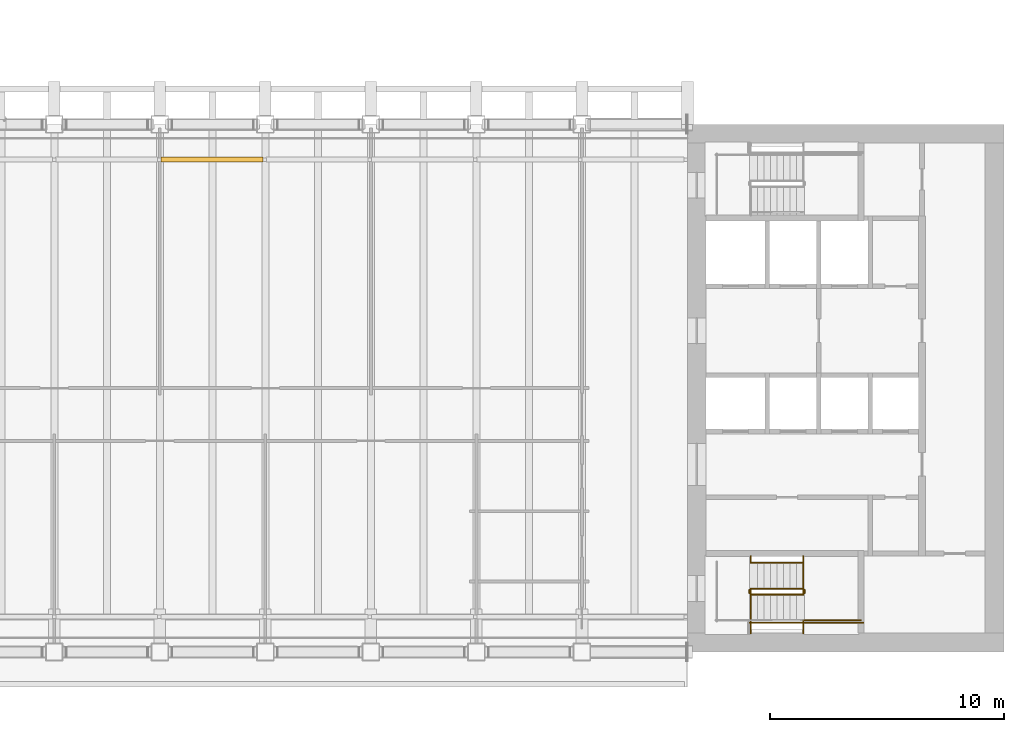
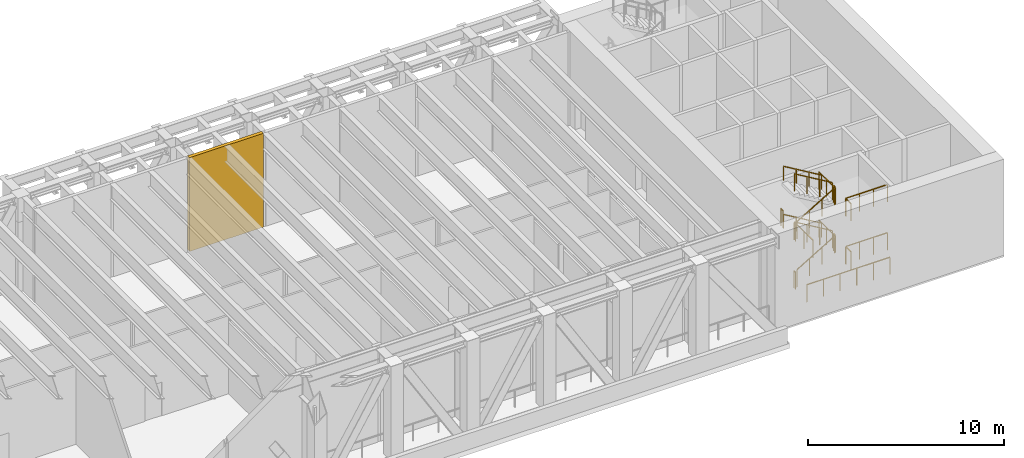
# One storey, part 17 of 20: 19 railings, 1 shading device.
"""IFC4 building model written with IfcOpenShell, lengths in metres."""

from ifc_helpers import new_model, si_unit, direction, frame, origin, origin_2d, place, context, subcontext, project, spatial, rectangle, extrude, material, layer, layer_set, type_object, element, save


model = new_model("IFC4")

# Units and contexts
model_context = context("Model", 3, precision=1e-05, world=origin(), true_north=direction((0.0, 1.0)))
body_context = subcontext(model_context, "Body", "Model", "MODEL_VIEW")
ifc_project = project(units=[si_unit("LENGTHUNIT", "METRE"), si_unit("AREAUNIT", "SQUARE_METRE"), si_unit("VOLUMEUNIT", "CUBIC_METRE"), si_unit("PLANEANGLEUNIT", "RADIAN"), si_unit("MASSUNIT", "GRAM", prefix="KILO")], contexts=[model_context])

# Site, building, storey
site_placement = place(None, origin())
site = spatial("IfcSite", under=ifc_project, at=site_placement, CompositionType="ELEMENT")
building_placement = place(site_placement, origin())
building = spatial("IfcBuilding", under=site, at=building_placement, Name="Sennacour Bend Tower", CompositionType="ELEMENT")
storey_placement = place(building_placement, frame((0.0, 0.0, 243.0)))
storey = spatial("IfcBuildingStorey", under=building, at=storey_placement, Name="L56", CompositionType="ELEMENT", Elevation=243.0)

# Shading device
ifc_material_1 = material(Name="Dark bronze anodised aluminium louvre", Category="aluminium")
ifc_layer = layer(ifc_material_1, 0.199951171875, Name="Dark bronze anodised aluminium louvre", Category="aluminium")
ifc_layer_set = layer_set([ifc_layer], Name="Dark bronze anodised aluminium louvre")
shading_device_type = type_object("IfcShadingDeviceType", Name="LOUVRE BANK 200", PredefinedType="USERDEFINED", material=ifc_layer_set)
shading_device_placement = place(storey_placement, frame((33.722900390625, 21.0, 0.0), z_axis=(0.0, 0.0, 1.0), x_axis=(1.0, 0.0, 0.0)))
element("IfcShadingDevice", 1, at=shading_device_placement, inside=storey, type_object=shading_device_type, Name="Louvre bank L56", ObjectType="LOUVRE", PredefinedType="USERDEFINED", context=body_context, shape_type="SweptSolid", body=[
    extrude(rectangle(XDim=4.34912109375, YDim=0.199951171875, at=origin_2d()), origin(), (0.0, 0.0, 1.0), 5.85009765625),
])

# Railings
ifc_material_2 = material(Name="Stainless steel", Category="steel")
railing_type_1 = type_object("IfcRailingType", Name="RL-GUARD-1100", PredefinedType="GUARDRAIL", material=ifc_material_2)
railing_1_placement = place(storey_placement, frame((56.699951171875, 2.449951171875, 0.166748046875)))
element("IfcRailing", 2, at=railing_1_placement, inside=storey, type_object=railing_type_1, Name="L56 SA1 stair guard 1", PredefinedType="GUARDRAIL", context=body_context, shape_type="SweptSolid", body=[
    extrude(rectangle(XDim=0.048095703125, YDim=0.048095703125, at=origin_2d()), frame((0.0, 0.0, 1.076171875), z_axis=(0.859305625298, 0.0, 0.511462454469), x_axis=(0.0, 1.0, 0.0)), (0.0, 0.0, 1.0), 2.606689453125),
    extrude(rectangle(XDim=0.0419921875, YDim=0.0419921875, at=origin_2d()), origin(), (0.0, 0.0, 1.0), 1.052001953125),
    extrude(rectangle(XDim=0.0419921875, YDim=0.0419921875, at=origin_2d()), frame((0.74658203125, 0.0, 0.4443359375)), (0.0, 0.0, 1.0), 1.052001953125),
    extrude(rectangle(XDim=0.0419921875, YDim=0.0419921875, at=origin_2d()), frame((1.493408203125, 0.0, 0.888916015625)), (0.0, 0.0, 1.0), 1.052001953125),
    extrude(rectangle(XDim=0.0419921875, YDim=0.0419921875, at=origin_2d()), frame((2.239990234375, 0.0, 1.333251953125)), (0.0, 0.0, 1.0), 1.052001953125),
])
railing_2_placement = place(storey_placement, frame((58.989990234375, 2.5, 1.5)))
element("IfcRailing", 3, at=railing_2_placement, inside=storey, type_object=railing_type_1, Name="L56 SA1 stair guard 2", PredefinedType="GUARDRAIL", context=body_context, shape_type="SweptSolid", body=[
    extrude(rectangle(XDim=0.048095703125, YDim=0.048095703125, at=origin_2d()), frame((0.0, 0.0, 1.076171875), z_axis=(0.0, 1.0, 0.0), x_axis=(-1.0, 0.0, 0.0)), (0.0, 0.0, 1.0), 0.14990234375),
    extrude(rectangle(XDim=0.0419921875, YDim=0.0419921875, at=origin_2d()), origin(), (0.0, 0.0, 1.0), 1.052001953125),
    extrude(rectangle(XDim=0.0419921875, YDim=0.0419921875, at=origin_2d()), frame((0.0, 0.14990234375, 0.0)), (0.0, 0.0, 1.0), 1.052001953125),
])
railing_3_placement = place(storey_placement, frame((58.93994140625, 1.35009765625, 1.5)))
element("IfcRailing", 4, at=railing_3_placement, inside=storey, type_object=railing_type_1, Name="L56 SA1 stair guard 3", PredefinedType="GUARDRAIL", context=body_context, shape_type="SweptSolid", body=[
    extrude(rectangle(XDim=0.048095703125, YDim=0.048095703125, at=origin_2d()), frame((0.0, 0.0, 1.076171875), z_axis=(1.0, 0.0, 0.0), x_axis=(0.0, 1.0, 0.0)), (0.0, 0.0, 1.0), 2.4599609375),
    extrude(rectangle(XDim=0.0419921875, YDim=0.0419921875, at=origin_2d()), origin(), (0.0, 0.0, 1.0), 1.052001953125),
    extrude(rectangle(XDim=0.0419921875, YDim=0.0419921875, at=origin_2d()), frame((0.820068359375, 0.0, 0.0)), (0.0, 0.0, 1.0), 1.052001953125),
    extrude(rectangle(XDim=0.0419921875, YDim=0.0419921875, at=origin_2d()), frame((1.639892578125, 0.0, 0.0)), (0.0, 0.0, 1.0), 1.052001953125),
    extrude(rectangle(XDim=0.0419921875, YDim=0.0419921875, at=origin_2d()), frame((2.4599609375, 0.0, 0.0)), (0.0, 0.0, 1.0), 1.052001953125),
])
railing_4_placement = place(storey_placement, frame((58.93994140625, 2.699951171875, 1.666748046875)))
element("IfcRailing", 5, at=railing_4_placement, inside=storey, type_object=railing_type_1, Name="L56 SA1 stair guard 4", PredefinedType="GUARDRAIL", context=body_context, shape_type="SweptSolid", body=[
    extrude(rectangle(XDim=0.048095703125, YDim=0.048095703125, at=origin_2d()), frame((0.0, 0.0, 1.076171875), z_axis=(-0.859305625298, 0.0, 0.511462454469), x_axis=(0.0, -1.0, 0.0)), (0.0, 0.0, 1.0), 2.606689453125),
    extrude(rectangle(XDim=0.0419921875, YDim=0.0419921875, at=origin_2d()), origin(), (0.0, 0.0, 1.0), 1.052001953125),
    extrude(rectangle(XDim=0.0419921875, YDim=0.0419921875, at=origin_2d()), frame((-0.74658203125, 0.0, 0.4443359375)), (0.0, 0.0, 1.0), 1.052001953125),
    extrude(rectangle(XDim=0.0419921875, YDim=0.0419921875, at=origin_2d()), frame((-1.493408203125, 0.0, 0.888916015625)), (0.0, 0.0, 1.0), 1.052001953125),
    extrude(rectangle(XDim=0.0419921875, YDim=0.0419921875, at=origin_2d()), frame((-2.239990234375, 0.0, 1.333251953125)), (0.0, 0.0, 1.0), 1.052001953125),
])
railing_5_placement = place(storey_placement, frame((56.64990234375, 2.5, 3.0)))
element("IfcRailing", 6, at=railing_5_placement, inside=storey, type_object=railing_type_1, Name="L56 SA1 stair guard 5", PredefinedType="GUARDRAIL", context=body_context, shape_type="SweptSolid", body=[
    extrude(rectangle(XDim=0.048095703125, YDim=0.048095703125, at=origin_2d()), frame((0.0, 0.0, 1.076171875), z_axis=(0.0, 1.0, 0.0), x_axis=(-1.0, 0.0, 0.0)), (0.0, 0.0, 1.0), 0.14990234375),
    extrude(rectangle(XDim=0.0419921875, YDim=0.0419921875, at=origin_2d()), origin(), (0.0, 0.0, 1.0), 1.052001953125),
    extrude(rectangle(XDim=0.0419921875, YDim=0.0419921875, at=origin_2d()), frame((0.0, 0.14990234375, 0.0)), (0.0, 0.0, 1.0), 1.052001953125),
])
railing_6_placement = place(storey_placement, frame((56.699951171875, 2.449951171875, 3.166748046875)))
element("IfcRailing", 7, at=railing_6_placement, inside=storey, type_object=railing_type_1, Name="L56 SA1 stair guard 8", PredefinedType="GUARDRAIL", context=body_context, shape_type="SweptSolid", body=[
    extrude(rectangle(XDim=0.048095703125, YDim=0.048095703125, at=origin_2d()), frame((0.0, 0.0, 1.076171875), z_axis=(0.859305625298, 0.0, 0.511462454469), x_axis=(0.0, 1.0, 0.0)), (0.0, 0.0, 1.0), 2.606689453125),
    extrude(rectangle(XDim=0.0419921875, YDim=0.0419921875, at=origin_2d()), origin(), (0.0, 0.0, 1.0), 1.052001953125),
    extrude(rectangle(XDim=0.0419921875, YDim=0.0419921875, at=origin_2d()), frame((0.74658203125, 0.0, 0.4443359375)), (0.0, 0.0, 1.0), 1.052001953125),
    extrude(rectangle(XDim=0.0419921875, YDim=0.0419921875, at=origin_2d()), frame((1.493408203125, 0.0, 0.888916015625)), (0.0, 0.0, 1.0), 1.052001953125),
    extrude(rectangle(XDim=0.0419921875, YDim=0.0419921875, at=origin_2d()), frame((2.239990234375, 0.0, 1.333251953125)), (0.0, 0.0, 1.0), 1.052001953125),
])
railing_7_placement = place(storey_placement, frame((58.989990234375, 2.5, 4.5)))
element("IfcRailing", 8, at=railing_7_placement, inside=storey, type_object=railing_type_1, Name="L56 SA1 stair guard 9", PredefinedType="GUARDRAIL", context=body_context, shape_type="SweptSolid", body=[
    extrude(rectangle(XDim=0.048095703125, YDim=0.048095703125, at=origin_2d()), frame((0.0, 0.0, 1.076171875), z_axis=(0.0, 1.0, 0.0), x_axis=(-1.0, 0.0, 0.0)), (0.0, 0.0, 1.0), 0.14990234375),
    extrude(rectangle(XDim=0.0419921875, YDim=0.0419921875, at=origin_2d()), origin(), (0.0, 0.0, 1.0), 1.052001953125),
    extrude(rectangle(XDim=0.0419921875, YDim=0.0419921875, at=origin_2d()), frame((0.0, 0.14990234375, 0.0)), (0.0, 0.0, 1.0), 1.052001953125),
])
railing_8_placement = place(storey_placement, frame((58.93994140625, 1.35009765625, 4.5)))
element("IfcRailing", 9, at=railing_8_placement, inside=storey, type_object=railing_type_1, Name="L56 SA1 stair guard 10", PredefinedType="GUARDRAIL", context=body_context, shape_type="SweptSolid", body=[
    extrude(rectangle(XDim=0.048095703125, YDim=0.048095703125, at=origin_2d()), frame((0.0, 0.0, 1.076171875), z_axis=(1.0, 0.0, 0.0), x_axis=(0.0, 1.0, 0.0)), (0.0, 0.0, 1.0), 2.4599609375),
    extrude(rectangle(XDim=0.0419921875, YDim=0.0419921875, at=origin_2d()), origin(), (0.0, 0.0, 1.0), 1.052001953125),
    extrude(rectangle(XDim=0.0419921875, YDim=0.0419921875, at=origin_2d()), frame((0.820068359375, 0.0, 0.0)), (0.0, 0.0, 1.0), 1.052001953125),
    extrude(rectangle(XDim=0.0419921875, YDim=0.0419921875, at=origin_2d()), frame((1.639892578125, 0.0, 0.0)), (0.0, 0.0, 1.0), 1.052001953125),
    extrude(rectangle(XDim=0.0419921875, YDim=0.0419921875, at=origin_2d()), frame((2.4599609375, 0.0, 0.0)), (0.0, 0.0, 1.0), 1.052001953125),
])
railing_9_placement = place(storey_placement, frame((58.93994140625, 2.699951171875, 4.666748046875)))
element("IfcRailing", 10, at=railing_9_placement, inside=storey, type_object=railing_type_1, Name="L56 SA1 stair guard 11", PredefinedType="GUARDRAIL", context=body_context, shape_type="SweptSolid", body=[
    extrude(rectangle(XDim=0.048095703125, YDim=0.048095703125, at=origin_2d()), frame((0.0, 0.0, 1.076171875), z_axis=(-0.859305625298, 0.0, 0.511462454469), x_axis=(0.0, -1.0, 0.0)), (0.0, 0.0, 1.0), 2.606689453125),
    extrude(rectangle(XDim=0.0419921875, YDim=0.0419921875, at=origin_2d()), origin(), (0.0, 0.0, 1.0), 1.052001953125),
    extrude(rectangle(XDim=0.0419921875, YDim=0.0419921875, at=origin_2d()), frame((-0.74658203125, 0.0, 0.4443359375)), (0.0, 0.0, 1.0), 1.052001953125),
    extrude(rectangle(XDim=0.0419921875, YDim=0.0419921875, at=origin_2d()), frame((-1.493408203125, 0.0, 0.888916015625)), (0.0, 0.0, 1.0), 1.052001953125),
    extrude(rectangle(XDim=0.0419921875, YDim=0.0419921875, at=origin_2d()), frame((-2.239990234375, 0.0, 1.333251953125)), (0.0, 0.0, 1.0), 1.052001953125),
])
railing_10_placement = place(storey_placement, frame((56.64990234375, 2.5, 0.0)))
element("IfcRailing", 11, at=railing_10_placement, inside=storey, type_object=railing_type_1, Name="L56 SA1 stair guard 12", PredefinedType="GUARDRAIL", context=body_context, shape_type="SweptSolid", body=[
    extrude(rectangle(XDim=0.048095703125, YDim=0.048095703125, at=origin_2d()), frame((0.0, 0.0, 1.076171875), z_axis=(0.0, 1.0, 0.0), x_axis=(-1.0, 0.0, 0.0)), (0.0, 0.0, 1.0), 0.14990234375),
    extrude(rectangle(XDim=0.0419921875, YDim=0.0419921875, at=origin_2d()), origin(), (0.0, 0.0, 1.0), 1.052001953125),
    extrude(rectangle(XDim=0.0419921875, YDim=0.0419921875, at=origin_2d()), frame((0.0, 0.14990234375, 0.0)), (0.0, 0.0, 1.0), 1.052001953125),
])
railing_11_placement = place(storey_placement, frame((56.60009765625, 1.25, 0.0)))
element("IfcRailing", 12, at=railing_11_placement, inside=storey, type_object=railing_type_1, Name="L56 SA1 stair guard 15", PredefinedType="GUARDRAIL", context=body_context, shape_type="SweptSolid", body=[
    extrude(rectangle(XDim=0.048095703125, YDim=0.048095703125, at=origin_2d()), frame((0.0, 0.0, 1.076171875), z_axis=(1.0, 0.0, 0.0), x_axis=(0.0, 1.0, 0.0)), (0.0, 0.0, 1.0), 4.89990234375),
    extrude(rectangle(XDim=0.0419921875, YDim=0.0419921875, at=origin_2d()), origin(), (0.0, 0.0, 1.0), 1.052001953125),
    extrude(rectangle(XDim=0.0419921875, YDim=0.0419921875, at=origin_2d()), frame((0.97998046875, 0.0, 0.0)), (0.0, 0.0, 1.0), 1.052001953125),
    extrude(rectangle(XDim=0.0419921875, YDim=0.0419921875, at=origin_2d()), frame((1.9599609375, 0.0, 0.0)), (0.0, 0.0, 1.0), 1.052001953125),
    extrude(rectangle(XDim=0.0419921875, YDim=0.0419921875, at=origin_2d()), frame((2.93994140625, 0.0, 0.0)), (0.0, 0.0, 1.0), 1.052001953125),
    extrude(rectangle(XDim=0.0419921875, YDim=0.0419921875, at=origin_2d()), frame((3.919921875, 0.0, 0.0)), (0.0, 0.0, 1.0), 1.052001953125),
    extrude(rectangle(XDim=0.0419921875, YDim=0.0419921875, at=origin_2d()), frame((4.89990234375, 0.0, 0.0)), (0.0, 0.0, 1.0), 1.052001953125),
])
railing_12_placement = place(storey_placement, frame((58.93994140625, 0.800048828125, 1.5)))
element("IfcRailing", 13, at=railing_12_placement, inside=storey, type_object=railing_type_1, Name="L56 SA1 landing edge guard 78", PredefinedType="GUARDRAIL", context=body_context, shape_type="SweptSolid", body=[
    extrude(rectangle(XDim=0.048095703125, YDim=0.048095703125, at=origin_2d()), frame((0.0, 0.0, 1.076171875), z_axis=(0.0, 1.0, 0.0), x_axis=(-1.0, 0.0, 0.0)), (0.0, 0.0, 1.0), 0.5),
    extrude(rectangle(XDim=0.0419921875, YDim=0.0419921875, at=origin_2d()), origin(), (0.0, 0.0, 1.0), 1.052001953125),
    extrude(rectangle(XDim=0.0419921875, YDim=0.0419921875, at=origin_2d()), frame((0.0, 0.5, 0.0)), (0.0, 0.0, 1.0), 1.052001953125),
])
railing_13_placement = place(storey_placement, frame((58.93994140625, 2.5, 1.5)))
element("IfcRailing", 14, at=railing_13_placement, inside=storey, type_object=railing_type_1, Name="L56 SA1 landing edge guard 79", PredefinedType="GUARDRAIL", context=body_context, shape_type="SweptSolid", body=[
    extrude(rectangle(XDim=0.048095703125, YDim=0.048095703125, at=origin_2d()), frame((0.0, 0.0, 1.076171875), z_axis=(0.0, 1.0, 0.0), x_axis=(-1.0, 0.0, 0.0)), (0.0, 0.0, 1.0), 1.574951171875),
    extrude(rectangle(XDim=0.0419921875, YDim=0.0419921875, at=origin_2d()), origin(), (0.0, 0.0, 1.0), 1.052001953125),
    extrude(rectangle(XDim=0.0419921875, YDim=0.0419921875, at=origin_2d()), frame((0.0, 0.78759765625, 0.0)), (0.0, 0.0, 1.0), 1.052001953125),
    extrude(rectangle(XDim=0.0419921875, YDim=0.0419921875, at=origin_2d()), frame((0.0, 1.574951171875, 0.0)), (0.0, 0.0, 1.0), 1.052001953125),
])
railing_14_placement = place(storey_placement, frame((56.699951171875, 4.074951171875, 3.0)))
element("IfcRailing", 15, at=railing_14_placement, inside=storey, type_object=railing_type_1, Name="L56 SA1 landing edge guard 80", PredefinedType="GUARDRAIL", context=body_context, shape_type="SweptSolid", body=[
    extrude(rectangle(XDim=0.048095703125, YDim=0.048095703125, at=origin_2d()), frame((0.0, 0.0, 1.076171875), z_axis=(0.0, -1.0, 0.0), x_axis=(1.0, 0.0, 0.0)), (0.0, 0.0, 1.0), 0.224853515625),
    extrude(rectangle(XDim=0.0419921875, YDim=0.0419921875, at=origin_2d()), origin(), (0.0, 0.0, 1.0), 1.052001953125),
    extrude(rectangle(XDim=0.0419921875, YDim=0.0419921875, at=origin_2d()), frame((0.0, -0.224853515625, 0.0)), (0.0, 0.0, 1.0), 1.052001953125),
])
railing_15_placement = place(storey_placement, frame((56.699951171875, 2.64990234375, 3.0)))
element("IfcRailing", 16, at=railing_15_placement, inside=storey, type_object=railing_type_1, Name="L56 SA1 landing edge guard 81", PredefinedType="GUARDRAIL", context=body_context, shape_type="SweptSolid", body=[
    extrude(rectangle(XDim=0.048095703125, YDim=0.048095703125, at=origin_2d()), frame((0.0, 0.0, 1.076171875), z_axis=(0.0, -1.0, 0.0), x_axis=(1.0, 0.0, 0.0)), (0.0, 0.0, 1.0), 1.849853515625),
    extrude(rectangle(XDim=0.0419921875, YDim=0.0419921875, at=origin_2d()), origin(), (0.0, 0.0, 1.0), 1.052001953125),
    extrude(rectangle(XDim=0.0419921875, YDim=0.0419921875, at=origin_2d()), frame((0.0, -0.9248046875, 0.0)), (0.0, 0.0, 1.0), 1.052001953125),
    extrude(rectangle(XDim=0.0419921875, YDim=0.0419921875, at=origin_2d()), frame((0.0, -1.849853515625, 0.0)), (0.0, 0.0, 1.0), 1.052001953125),
])
railing_16_placement = place(storey_placement, frame((58.93994140625, 0.800048828125, 4.5)))
element("IfcRailing", 17, at=railing_16_placement, inside=storey, type_object=railing_type_1, Name="L56 SA1 landing edge guard 82", PredefinedType="GUARDRAIL", context=body_context, shape_type="SweptSolid", body=[
    extrude(rectangle(XDim=0.048095703125, YDim=0.048095703125, at=origin_2d()), frame((0.0, 0.0, 1.076171875), z_axis=(0.0, 1.0, 0.0), x_axis=(-1.0, 0.0, 0.0)), (0.0, 0.0, 1.0), 0.5),
    extrude(rectangle(XDim=0.0419921875, YDim=0.0419921875, at=origin_2d()), origin(), (0.0, 0.0, 1.0), 1.052001953125),
    extrude(rectangle(XDim=0.0419921875, YDim=0.0419921875, at=origin_2d()), frame((0.0, 0.5, 0.0)), (0.0, 0.0, 1.0), 1.052001953125),
])
railing_17_placement = place(storey_placement, frame((58.93994140625, 2.5, 4.5)))
element("IfcRailing", 18, at=railing_17_placement, inside=storey, type_object=railing_type_1, Name="L56 SA1 landing edge guard 83", PredefinedType="GUARDRAIL", context=body_context, shape_type="SweptSolid", body=[
    extrude(rectangle(XDim=0.048095703125, YDim=0.048095703125, at=origin_2d()), frame((0.0, 0.0, 1.076171875), z_axis=(0.0, 1.0, 0.0), x_axis=(-1.0, 0.0, 0.0)), (0.0, 0.0, 1.0), 1.574951171875),
    extrude(rectangle(XDim=0.0419921875, YDim=0.0419921875, at=origin_2d()), origin(), (0.0, 0.0, 1.0), 1.052001953125),
    extrude(rectangle(XDim=0.0419921875, YDim=0.0419921875, at=origin_2d()), frame((0.0, 0.78759765625, 0.0)), (0.0, 0.0, 1.0), 1.052001953125),
    extrude(rectangle(XDim=0.0419921875, YDim=0.0419921875, at=origin_2d()), frame((0.0, 1.574951171875, 0.0)), (0.0, 0.0, 1.0), 1.052001953125),
])
railing_type_2 = type_object("IfcRailingType", Name="RL-HANDRAIL-900", PredefinedType="HANDRAIL", material=ifc_material_2)
for number, where, name in (
    (19, (58.93994140625, 3.800048828125, 1.666748046875), "L56 SA1 stair handrail 2"),
    (20, (58.93994140625, 3.800048828125, 4.666748046875), "L56 SA1 stair handrail 4"),
):
    element("IfcRailing", number, at=place(storey_placement, frame(where)), inside=storey, type_object=railing_type_2, Name=name, PredefinedType="HANDRAIL", context=body_context, shape_type="SweptSolid", body=[
        extrude(rectangle(XDim=0.048095703125, YDim=0.048095703125, at=origin_2d()), frame((0.0, 0.0, 0.8759765625), z_axis=(-0.859305625298, 0.0, 0.511462454469), x_axis=(0.0, -1.0, 0.0)), (0.0, 0.0, 1.0), 2.606689453125),
        extrude(rectangle(XDim=0.0419921875, YDim=0.0419921875, at=origin_2d()), origin(), (0.0, 0.0, 1.0), 0.851806640625),
        extrude(rectangle(XDim=0.0419921875, YDim=0.0419921875, at=origin_2d()), frame((-0.74658203125, 0.0, 0.4443359375)), (0.0, 0.0, 1.0), 0.851806640625),
        extrude(rectangle(XDim=0.0419921875, YDim=0.0419921875, at=origin_2d()), frame((-1.493408203125, 0.0, 0.888916015625)), (0.0, 0.0, 1.0), 0.851806640625),
        extrude(rectangle(XDim=0.0419921875, YDim=0.0419921875, at=origin_2d()), frame((-2.239990234375, 0.0, 1.333251953125)), (0.0, 0.0, 1.0), 0.851806640625),
    ])

save(model, "model.ifc")
